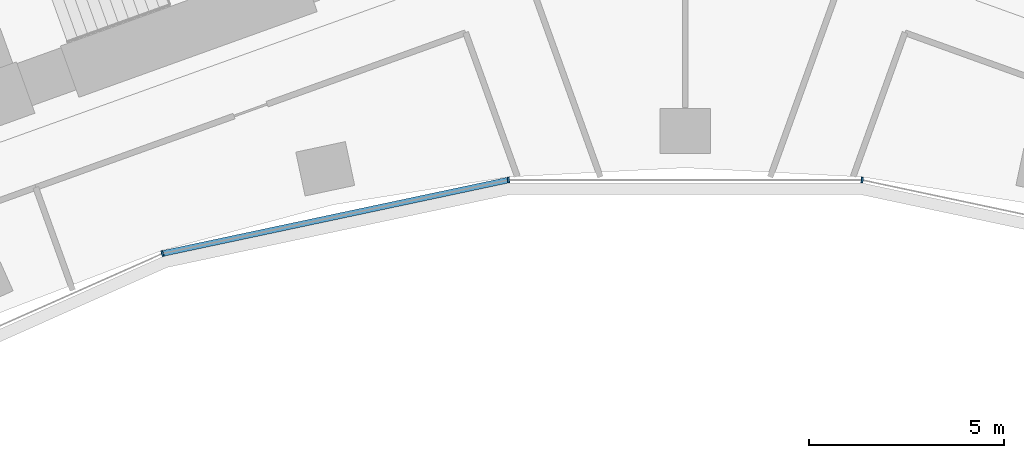
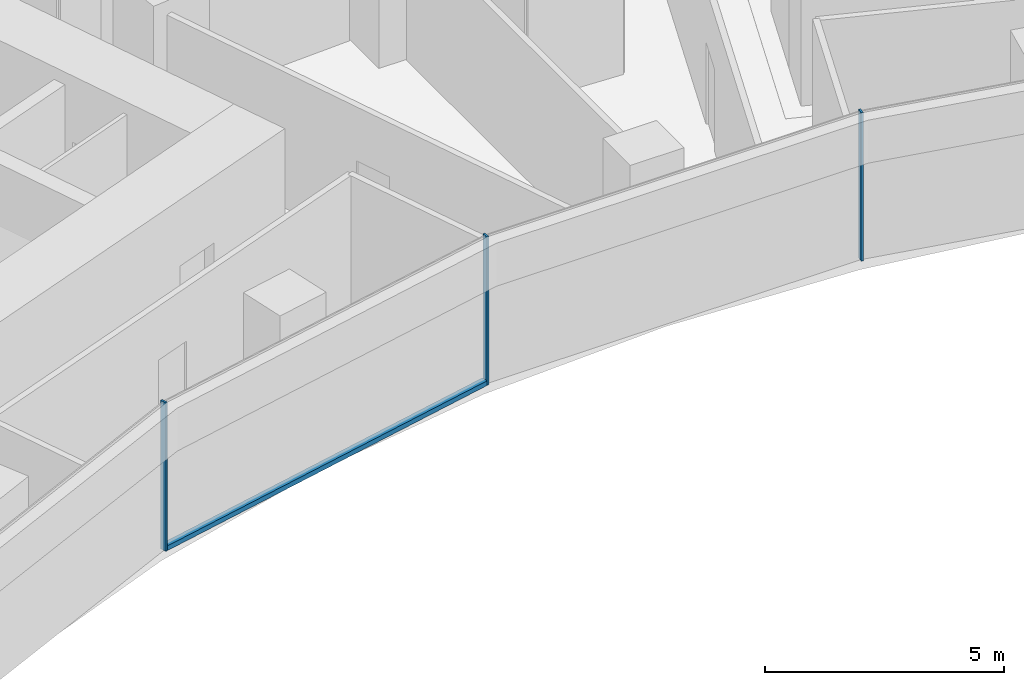
# One storey, part 5 of 21: 4 members, 1 element without a shape of its own.
"""IFC4 building model written with IfcOpenShell, lengths in metres."""

from ifc_helpers import new_model, si_unit, direction, frame, origin, origin_2d, place, context, subcontext, project, spatial, rectangle, extrude, material, layer, layer_set, material_profile, profile_set, type_object, element, aggregate, save


model = new_model("IFC4")

# Units and contexts
model_context = context("Model", 3, precision=1e-05, world=origin(), true_north=direction((0.0, 1.0)))
body_context = subcontext(model_context, "Body", "Model", "MODEL_VIEW")
ifc_project = project(units=[si_unit("LENGTHUNIT", "METRE"), si_unit("AREAUNIT", "SQUARE_METRE"), si_unit("VOLUMEUNIT", "CUBIC_METRE"), si_unit("PLANEANGLEUNIT", "RADIAN"), si_unit("MASSUNIT", "GRAM", prefix="KILO")], contexts=[model_context])

# Site, building, storey
site_placement = place(None, origin())
site = spatial("IfcSite", under=ifc_project, at=site_placement, CompositionType="ELEMENT")
building_placement = place(site_placement, origin())
building = spatial("IfcBuilding", under=site, at=building_placement, Name="Stone Belt Terrace Tower", CompositionType="ELEMENT")
storey_placement = place(building_placement, frame((0.0, 0.0, 94.60009765625)))
storey = spatial("IfcBuildingStorey", under=building, at=storey_placement, Name="L22", CompositionType="ELEMENT", Elevation=94.60009765625)

# Curtain wall, members
ifc_material = material(Name="Aluminium 6063-T6 anodised frame", Category="aluminium")
ifc_layer = layer(ifc_material, 0.14990234375)
ifc_layer_set = layer_set([ifc_layer], Name="CW-B unitised concave-face curtain wall")
curtain_wall_type = type_object("IfcCurtainWallType", Name="CW-B unitised concave-face curtain wall", PredefinedType="NOTDEFINED", material=ifc_layer_set)
curtain_wall_placement = place(storey_placement, origin())
curtain_wall = element("IfcCurtainWall", 1, at=curtain_wall_placement, inside=storey, type_object=curtain_wall_type, Name="CW-B concave face L22", PredefinedType="NOTDEFINED")
ifc_material_profile_1 = material_profile(ifc_material, rectangle(XDim=0.14990234375, YDim=0.050048828125, at=origin_2d()), Name="Aluminium 6063-T6 50x150")
ifc_profile_set_1 = profile_set([ifc_material_profile_1], Name="Aluminium 6063-T6 anodised frame")
member_type_1 = type_object("IfcMemberType", Name="CW-B mullion 50 x 150", PredefinedType="MULLION", material=ifc_profile_set_1)
member_1_placement = place(storey_placement, frame((-13.4189453125, 41.29931640625, 0.0), z_axis=(0.0, 0.0, 1.0), x_axis=(-0.309016994375, 0.951056516295, 0.0)))
member_1 = element("IfcMember", 2, at=member_1_placement, type_object=member_type_1, Name="CW-B mullion 4", PredefinedType="MULLION", context=body_context, shape_type="SweptSolid", body=[
    extrude(rectangle(XDim=0.14990234375, YDim=0.050048828125, at=origin_2d()), origin(), (0.0, 0.0, 1.0), 3.7998046875),
])
member_2_placement = place(storey_placement, frame((-4.5390625, 43.186767578125, 0.0), z_axis=(0.0, 0.0, 1.0), x_axis=(-0.104528463268, 0.994521895368, 0.0)))
member_2 = element("IfcMember", 3, at=member_2_placement, type_object=member_type_1, Name="CW-B mullion 5", PredefinedType="MULLION", context=body_context, shape_type="SweptSolid", body=[
    extrude(rectangle(XDim=0.14990234375, YDim=0.050048828125, at=origin_2d()), origin(), (0.0, 0.0, 1.0), 3.7998046875),
])
member_3_placement = place(storey_placement, frame((4.5390625, 43.186767578125, 0.0), z_axis=(0.0, 0.0, 1.0), x_axis=(0.104528463268, 0.994521895368, 0.0)))
member_3 = element("IfcMember", 4, at=member_3_placement, type_object=member_type_1, Name="CW-B mullion 6", PredefinedType="MULLION", context=body_context, shape_type="SweptSolid", body=[
    extrude(rectangle(XDim=0.14990234375, YDim=0.050048828125, at=origin_2d()), origin(), (0.0, 0.0, 1.0), 3.7998046875),
])
ifc_material_profile_2 = material_profile(ifc_material, rectangle(XDim=0.14990234375, YDim=0.1201171875, at=origin_2d()), Name="Aluminium 6063-T6 150x120")
ifc_profile_set_2 = profile_set([ifc_material_profile_2], Name="Aluminium 6063-T6 anodised frame")
member_type_2 = type_object("IfcMemberType", Name="CW-B transom 120 x 150", PredefinedType="USERDEFINED", material=ifc_profile_set_2)
member_4_placement = place(storey_placement, frame((-13.386962890625, 41.30615234375, 0.059814453125), z_axis=(0.9781499003, 0.207900871914, 0.0), x_axis=(-0.207900871914, 0.9781499003, 0.0)))
member_4 = element("IfcMember", 5, at=member_4_placement, type_object=member_type_2, Name="CW-B transom 4.1", ObjectType="TRANSOM", PredefinedType="USERDEFINED", context=body_context, shape_type="SweptSolid", body=[
    extrude(rectangle(XDim=0.14990234375, YDim=0.1201171875, at=origin_2d()), origin(), (0.0, 0.0, 1.0), 9.012939453125),
])
aggregate(curtain_wall, [member_1, member_2, member_3, member_4])

save(model, "model.ifc")
